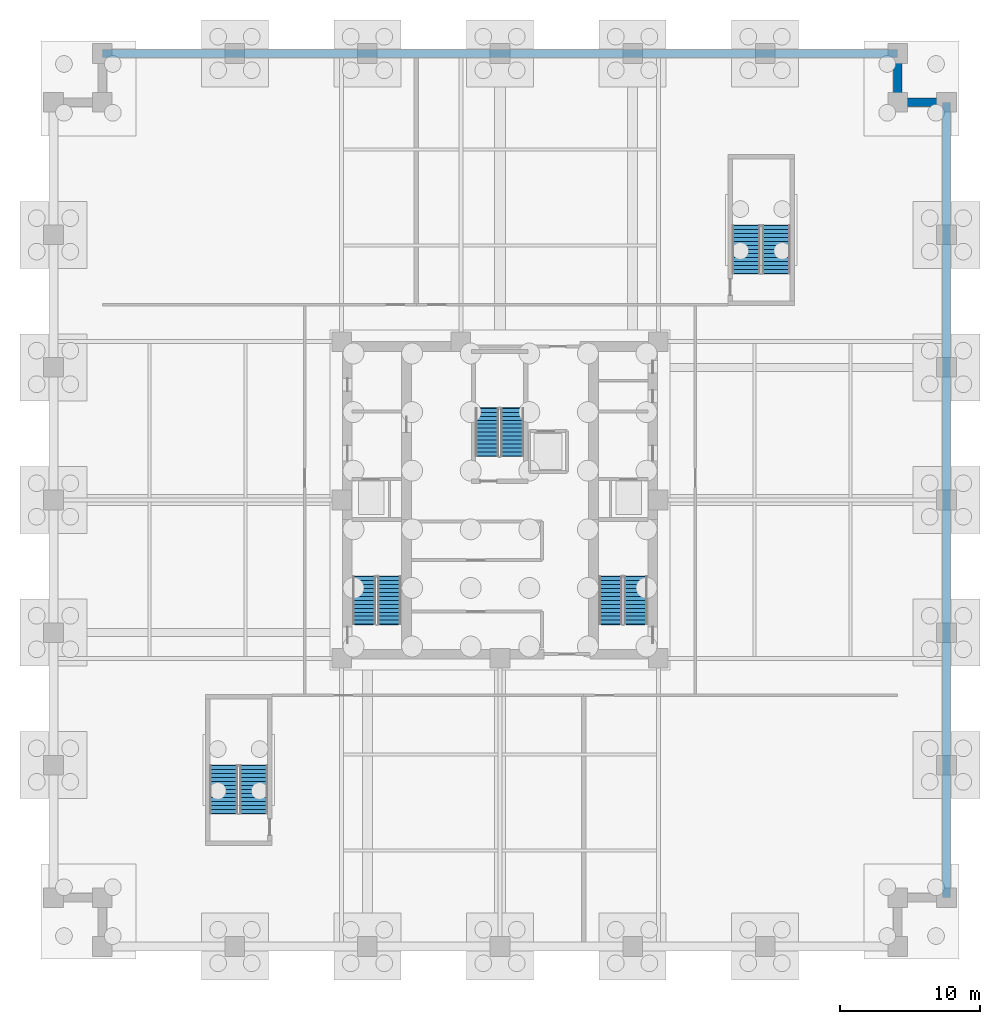
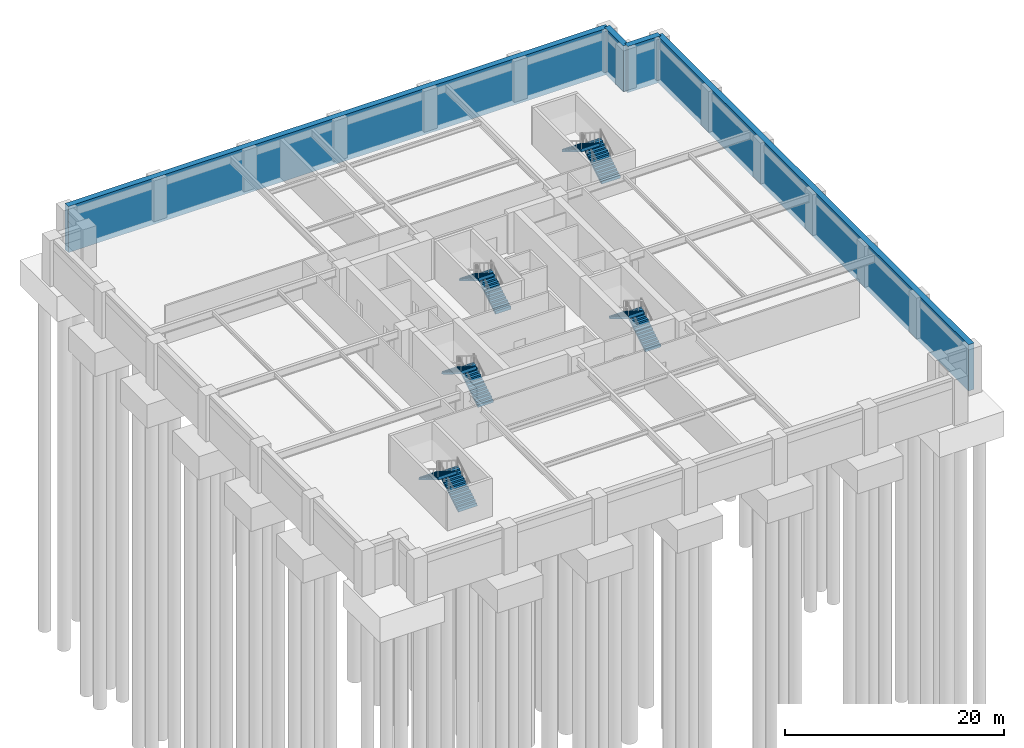
# One storey, part 5 of 8: 10 stair flights, 4 walls, 5 elements without a shape of their own.
"""IFC4 building model written with IfcOpenShell, lengths in metres."""

from ifc_helpers import new_model, si_unit, direction, frame, frame_2d, origin, place, context, subcontext, project, spatial, polyline, rectangle, outline, extrude, material, layer, layer_set, type_object, element, aggregate, save


model = new_model("IFC4")

# Units and contexts
model_context = context("Model", 3, precision=1e-05, world=origin(), true_north=direction((0.0, 1.0)))
body_context = subcontext(model_context, "Body", "Model", "MODEL_VIEW")
ifc_project = project(units=[si_unit("LENGTHUNIT", "METRE"), si_unit("AREAUNIT", "SQUARE_METRE"), si_unit("VOLUMEUNIT", "CUBIC_METRE"), si_unit("PLANEANGLEUNIT", "RADIAN"), si_unit("MASSUNIT", "GRAM", prefix="KILO")], contexts=[model_context])

# Site, building, storey
site_placement = place(None, origin())
site = spatial("IfcSite", under=ifc_project, at=site_placement, CompositionType="ELEMENT")
building_placement = place(site_placement, origin())
building = spatial("IfcBuilding", under=site, at=building_placement, Name="Nhamokura Convention Tower", CompositionType="ELEMENT")
storey_placement = place(building_placement, frame((0.0, 0.0, -9.10009765625)))
storey = spatial("IfcBuildingStorey", under=building, at=storey_placement, Name="B02", CompositionType="ELEMENT", Elevation=-9.10009765625)

# Walls
ifc_material_1 = material(Name="Concrete C50/60", Category="concrete")
ifc_layer = layer(ifc_material_1, 0.60009765625)
ifc_layer_set = layer_set([ifc_layer], Name="BasementRetainingWall_600")
wall_type = type_object("IfcWallType", Name="BasementRetainingWall_600", PredefinedType="USERDEFINED", material=ifc_layer_set)
wall_1_placement = place(storey_placement, frame((64.0, 3.5, -0.599853515625), z_axis=(0.0, 0.0, 1.0), x_axis=(0.0, 1.0, 0.0)))
element("IfcWall", 1, at=wall_1_placement, inside=storey, type_object=wall_type, Name="B02 Perimeter Retaining Wall 04", ObjectType="RETAININGWALL", PredefinedType="USERDEFINED", context=body_context, shape_type="SweptSolid", body=[
    extrude(rectangle(XDim=57.0, YDim=0.60009765625, at=frame_2d((28.5, 0.0))), origin(), (0.0, 0.0, 1.0), 5.14990234375),
])
for number, where, z_axis, x_axis, name in (
    (2, (64.0, 60.5, -0.599853515625), (0.0, 0.0, 1.0), (-1.0, 0.0, 0.0), "B02 Perimeter Retaining Wall 05"),
    (3, (60.5, 60.5, -0.599853515625), (0.0, 0.0, 1.0), (0.0, 1.0, 0.0), "B02 Perimeter Retaining Wall 06"),
):
    element("IfcWall", number, at=place(storey_placement, frame(where, z_axis=z_axis, x_axis=x_axis)), inside=storey, type_object=wall_type, Name=name, ObjectType="RETAININGWALL", PredefinedType="USERDEFINED", context=body_context, shape_type="SweptSolid", body=[
        extrude(rectangle(XDim=3.5, YDim=0.60009765625, at=frame_2d((1.75, 0.0))), origin(), (0.0, 0.0, 1.0), 5.14990234375),
    ])
wall_2_placement = place(storey_placement, frame((60.5, 64.0, -0.599853515625), z_axis=(0.0, 0.0, 1.0), x_axis=(-1.0, 0.0, 0.0)))
element("IfcWall", 4, at=wall_2_placement, inside=storey, type_object=wall_type, Name="B02 Perimeter Retaining Wall 07", ObjectType="RETAININGWALL", PredefinedType="USERDEFINED", context=body_context, shape_type="SweptSolid", body=[
    extrude(rectangle(XDim=57.0, YDim=0.60009765625, at=frame_2d((28.5, 0.0))), origin(), (0.0, 0.0, 1.0), 5.14990234375),
])

# Stair, stair flights
ifc_material_2 = material(Name="Concrete C40/50", Category="concrete")
stair_type_1 = type_object("IfcStairType", Name="PodiumExitStair_2000", PredefinedType="HALF_TURN_STAIR", material=ifc_material_2)
stair_1_placement = place(storey_placement, origin())
stair_1 = element("IfcStair", 5, at=stair_1_placement, inside=storey, type_object=stair_type_1, Name="B02 South-West Podium Smokeproof Stair ST-04", PredefinedType="HALF_TURN_STAIR")
ifc_material_3 = material(Name="Concrete C40/50", Category="concrete")
stair_flight_type_1 = type_object("IfcStairFlightType", Name="PodiumExitStair_2000_Flight", PredefinedType="STRAIGHT", material=ifc_material_3)
stair_flight_1_placement = place(storey_placement, frame((14.35009765625, 9.550048828125, 0.0), z_axis=(0.0, 0.0, 1.0), x_axis=(0.0, 1.0, 0.0)))
stair_flight_1 = element("IfcStairFlight", 6, at=stair_flight_1_placement, type_object=stair_flight_type_1, Name="ST-04 flight 1", NumberOfRisers=13, NumberOfTreads=12, PredefinedType="STRAIGHT", RiserHeight=0.175, TreadLength=0.285, context=body_context, shape_type="SweptSolid", body=[
    extrude(outline(polyline([(-0.0419921875, 0.0), (0.0, 0.175048828125), (0.284912109375, 0.175048828125), (0.284912109375, 0.35009765625), (0.570068359375, 0.35009765625), (0.570068359375, 0.52490234375), (0.85498046875, 0.52490234375), (0.85498046875, 0.699951171875), (1.139892578125, 0.699951171875), (1.139892578125, 0.875), (1.425048828125, 0.875), (1.425048828125, 1.050048828125), (1.7099609375, 1.050048828125), (1.7099609375, 1.22509765625), (1.9951171875, 1.22509765625), (1.9951171875, 1.39990234375), (2.280029296875, 1.39990234375), (2.280029296875, 1.574951171875), (2.56494140625, 1.574951171875), (2.56494140625, 1.75), (2.85009765625, 1.75), (2.85009765625, 1.925048828125), (3.135009765625, 1.925048828125), (3.135009765625, 2.10009765625), (3.419921875, 2.10009765625), (3.419921875, 2.27490234375), (3.4619140625, 2.27490234375), (3.4619140625, 1.924072265625), (3.419921875, 1.924072265625), (0.286376953125, 0.0), (0.02001953125, -0.1298828125), (-0.0419921875, -0.1298828125), (-0.0419921875, 0.0)])), frame((0.0, 1.0, 0.0), z_axis=(0.0, -1.0, 0.0), x_axis=(1.0, 0.0, 0.0)), (0.0, 0.0, 1.0), 2.0),
])
stair_flight_2_placement = place(storey_placement, frame((12.199951171875, 12.969970703125, 2.275146484375), z_axis=(0.0, 0.0, 1.0), x_axis=(0.0, -1.0, 0.0)))
stair_flight_2 = element("IfcStairFlight", 7, at=stair_flight_2_placement, type_object=stair_flight_type_1, Name="ST-04 flight 2", NumberOfRisers=13, NumberOfTreads=12, PredefinedType="STRAIGHT", RiserHeight=0.175, TreadLength=0.285, context=body_context, shape_type="SweptSolid", body=[
    extrude(outline(polyline([(-0.0419921875, 0.0), (0.0, 0.175048828125), (0.284912109375, 0.175048828125), (0.284912109375, 0.35009765625), (0.570068359375, 0.35009765625), (0.570068359375, 0.52490234375), (0.85498046875, 0.52490234375), (0.85498046875, 0.699951171875), (1.139892578125, 0.699951171875), (1.139892578125, 0.875), (1.425048828125, 0.875), (1.425048828125, 1.050048828125), (1.7099609375, 1.050048828125), (1.7099609375, 1.22509765625), (1.9951171875, 1.22509765625), (1.9951171875, 1.39990234375), (2.280029296875, 1.39990234375), (2.280029296875, 1.574951171875), (2.56494140625, 1.574951171875), (2.56494140625, 1.75), (2.85009765625, 1.75), (2.85009765625, 1.925048828125), (3.135009765625, 1.925048828125), (3.135009765625, 2.10009765625), (3.419921875, 2.10009765625), (3.419921875, 2.27490234375), (3.4619140625, 2.27490234375), (3.4619140625, 1.924072265625), (3.419921875, 1.924072265625), (0.286376953125, 0.0), (0.02001953125, -0.1298828125), (-0.0419921875, -0.1298828125), (-0.0419921875, 0.0)])), frame((0.0, 1.0, 0.0), z_axis=(0.0, -1.0, 0.0), x_axis=(1.0, 0.0, 0.0)), (0.0, 0.0, 1.0), 2.0),
])
aggregate(stair_1, [stair_flight_1, stair_flight_2])

stair_2_placement = place(storey_placement, origin())
stair_2 = element("IfcStair", 8, at=stair_2_placement, inside=storey, type_object=stair_type_1, Name="B02 North-East Podium Smokeproof Stair ST-05", PredefinedType="HALF_TURN_STAIR")
stair_flight_3_placement = place(storey_placement, frame((51.800048828125, 48.25, 0.0), z_axis=(0.0, 0.0, 1.0), x_axis=(0.0, 1.0, 0.0)))
stair_flight_3 = element("IfcStairFlight", 9, at=stair_flight_3_placement, type_object=stair_flight_type_1, Name="ST-05 flight 1", NumberOfRisers=13, NumberOfTreads=12, PredefinedType="STRAIGHT", RiserHeight=0.175, TreadLength=0.285, context=body_context, shape_type="SweptSolid", body=[
    extrude(outline(polyline([(-0.0419921875, 0.0), (0.0, 0.175048828125), (0.284912109375, 0.175048828125), (0.284912109375, 0.35009765625), (0.570068359375, 0.35009765625), (0.570068359375, 0.52490234375), (0.85498046875, 0.52490234375), (0.85498046875, 0.699951171875), (1.139892578125, 0.699951171875), (1.139892578125, 0.875), (1.425048828125, 0.875), (1.425048828125, 1.050048828125), (1.7099609375, 1.050048828125), (1.7099609375, 1.22509765625), (1.9951171875, 1.22509765625), (1.9951171875, 1.39990234375), (2.280029296875, 1.39990234375), (2.280029296875, 1.574951171875), (2.56494140625, 1.574951171875), (2.56494140625, 1.75), (2.85009765625, 1.75), (2.85009765625, 1.925048828125), (3.135009765625, 1.925048828125), (3.135009765625, 2.10009765625), (3.419921875, 2.10009765625), (3.419921875, 2.27490234375), (3.4619140625, 2.27490234375), (3.4619140625, 1.924072265625), (3.419921875, 1.924072265625), (0.286376953125, 0.0), (0.02001953125, -0.1298828125), (-0.0419921875, -0.1298828125), (-0.0419921875, 0.0)])), frame((0.0, 1.0, 0.0), z_axis=(0.0, -1.0, 0.0), x_axis=(1.0, 0.0, 0.0)), (0.0, 0.0, 1.0), 2.0),
])
stair_flight_4_placement = place(storey_placement, frame((49.64990234375, 51.669921875, 2.275146484375), z_axis=(0.0, 0.0, 1.0), x_axis=(0.0, -1.0, 0.0)))
stair_flight_4 = element("IfcStairFlight", 10, at=stair_flight_4_placement, type_object=stair_flight_type_1, Name="ST-05 flight 2", NumberOfRisers=13, NumberOfTreads=12, PredefinedType="STRAIGHT", RiserHeight=0.175, TreadLength=0.285, context=body_context, shape_type="SweptSolid", body=[
    extrude(outline(polyline([(-0.0419921875, 0.0), (0.0, 0.175048828125), (0.284912109375, 0.175048828125), (0.284912109375, 0.35009765625), (0.570068359375, 0.35009765625), (0.570068359375, 0.52490234375), (0.85498046875, 0.52490234375), (0.85498046875, 0.699951171875), (1.139892578125, 0.699951171875), (1.139892578125, 0.875), (1.425048828125, 0.875), (1.425048828125, 1.050048828125), (1.7099609375, 1.050048828125), (1.7099609375, 1.22509765625), (1.9951171875, 1.22509765625), (1.9951171875, 1.39990234375), (2.280029296875, 1.39990234375), (2.280029296875, 1.574951171875), (2.56494140625, 1.574951171875), (2.56494140625, 1.75), (2.85009765625, 1.75), (2.85009765625, 1.925048828125), (3.135009765625, 1.925048828125), (3.135009765625, 2.10009765625), (3.419921875, 2.10009765625), (3.419921875, 2.27490234375), (3.4619140625, 2.27490234375), (3.4619140625, 1.924072265625), (3.419921875, 1.924072265625), (0.286376953125, 0.0), (0.02001953125, -0.1298828125), (-0.0419921875, -0.1298828125), (-0.0419921875, 0.0)])), frame((0.0, 1.0, 0.0), z_axis=(0.0, -1.0, 0.0), x_axis=(1.0, 0.0, 0.0)), (0.0, 0.0, 1.0), 2.0),
])
aggregate(stair_2, [stair_flight_3, stair_flight_4])

ifc_material_4 = material(Name="Concrete C40/50", Category="concrete")
stair_type_2 = type_object("IfcStairType", Name="TowerCoreStair_1650", PredefinedType="HALF_TURN_STAIR", material=ifc_material_4)
stair_3_placement = place(storey_placement, origin())
stair_3 = element("IfcStair", 11, at=stair_3_placement, inside=storey, type_object=stair_type_2, Name="B02 West Core Smokeproof Stair ST-01", PredefinedType="HALF_TURN_STAIR")
ifc_material_5 = material(Name="Concrete C40/50", Category="concrete")
stair_flight_type_2 = type_object("IfcStairFlightType", Name="TowerCoreStair_1650_Flight", PredefinedType="STRAIGHT", material=ifc_material_5)
stair_flight_5_placement = place(storey_placement, frame((24.074951171875, 23.10009765625, 0.0), z_axis=(0.0, 0.0, 1.0), x_axis=(0.0, 1.0, 0.0)))
stair_flight_5 = element("IfcStairFlight", 12, at=stair_flight_5_placement, type_object=stair_flight_type_2, Name="ST-01 flight 1", NumberOfRisers=13, NumberOfTreads=12, PredefinedType="STRAIGHT", RiserHeight=0.175, TreadLength=0.285, context=body_context, shape_type="SweptSolid", body=[
    extrude(outline(polyline([(-0.0419921875, 0.0), (0.0, 0.175048828125), (0.284912109375, 0.175048828125), (0.284912109375, 0.35009765625), (0.570068359375, 0.35009765625), (0.570068359375, 0.52490234375), (0.85498046875, 0.52490234375), (0.85498046875, 0.699951171875), (1.139892578125, 0.699951171875), (1.139892578125, 0.875), (1.425048828125, 0.875), (1.425048828125, 1.050048828125), (1.7099609375, 1.050048828125), (1.7099609375, 1.22509765625), (1.9951171875, 1.22509765625), (1.9951171875, 1.39990234375), (2.280029296875, 1.39990234375), (2.280029296875, 1.574951171875), (2.56494140625, 1.574951171875), (2.56494140625, 1.75), (2.85009765625, 1.75), (2.85009765625, 1.925048828125), (3.135009765625, 1.925048828125), (3.135009765625, 2.10009765625), (3.419921875, 2.10009765625), (3.419921875, 2.27490234375), (3.4619140625, 2.27490234375), (3.4619140625, 1.924072265625), (3.419921875, 1.924072265625), (0.286376953125, 0.0), (0.02001953125, -0.1298828125), (-0.0419921875, -0.1298828125), (-0.0419921875, 0.0)])), frame((0.0, 0.824951171875, 0.0), z_axis=(0.0, -1.0, 0.0), x_axis=(1.0, 0.0, 0.0)), (0.0, 0.0, 1.0), 1.64990234375),
])
stair_flight_6_placement = place(storey_placement, frame((22.27490234375, 26.52001953125, 2.275146484375), z_axis=(0.0, 0.0, 1.0), x_axis=(0.0, -1.0, 0.0)))
stair_flight_6 = element("IfcStairFlight", 13, at=stair_flight_6_placement, type_object=stair_flight_type_2, Name="ST-01 flight 2", NumberOfRisers=13, NumberOfTreads=12, PredefinedType="STRAIGHT", RiserHeight=0.175, TreadLength=0.285, context=body_context, shape_type="SweptSolid", body=[
    extrude(outline(polyline([(-0.0419921875, 0.0), (0.0, 0.175048828125), (0.284912109375, 0.175048828125), (0.284912109375, 0.35009765625), (0.570068359375, 0.35009765625), (0.570068359375, 0.52490234375), (0.85498046875, 0.52490234375), (0.85498046875, 0.699951171875), (1.139892578125, 0.699951171875), (1.139892578125, 0.875), (1.425048828125, 0.875), (1.425048828125, 1.050048828125), (1.7099609375, 1.050048828125), (1.7099609375, 1.22509765625), (1.9951171875, 1.22509765625), (1.9951171875, 1.39990234375), (2.280029296875, 1.39990234375), (2.280029296875, 1.574951171875), (2.56494140625, 1.574951171875), (2.56494140625, 1.75), (2.85009765625, 1.75), (2.85009765625, 1.925048828125), (3.135009765625, 1.925048828125), (3.135009765625, 2.10009765625), (3.419921875, 2.10009765625), (3.419921875, 2.27490234375), (3.4619140625, 2.27490234375), (3.4619140625, 1.924072265625), (3.419921875, 1.924072265625), (0.286376953125, 0.0), (0.02001953125, -0.1298828125), (-0.0419921875, -0.1298828125), (-0.0419921875, 0.0)])), frame((0.0, 0.824951171875, 0.0), z_axis=(0.0, -1.0, 0.0), x_axis=(1.0, 0.0, 0.0)), (0.0, 0.0, 1.0), 1.64990234375),
])
aggregate(stair_3, [stair_flight_5, stair_flight_6])

stair_4_placement = place(storey_placement, origin())
stair_4 = element("IfcStair", 14, at=stair_4_placement, inside=storey, type_object=stair_type_2, Name="B02 East Core Smokeproof Stair ST-02", PredefinedType="HALF_TURN_STAIR")
stair_flight_7_placement = place(storey_placement, frame((41.72509765625, 23.10009765625, 0.0), z_axis=(0.0, 0.0, 1.0), x_axis=(0.0, 1.0, 0.0)))
stair_flight_7 = element("IfcStairFlight", 15, at=stair_flight_7_placement, type_object=stair_flight_type_2, Name="ST-02 flight 1", NumberOfRisers=13, NumberOfTreads=12, PredefinedType="STRAIGHT", RiserHeight=0.175, TreadLength=0.285, context=body_context, shape_type="SweptSolid", body=[
    extrude(outline(polyline([(-0.0419921875, 0.0), (0.0, 0.175048828125), (0.284912109375, 0.175048828125), (0.284912109375, 0.35009765625), (0.570068359375, 0.35009765625), (0.570068359375, 0.52490234375), (0.85498046875, 0.52490234375), (0.85498046875, 0.699951171875), (1.139892578125, 0.699951171875), (1.139892578125, 0.875), (1.425048828125, 0.875), (1.425048828125, 1.050048828125), (1.7099609375, 1.050048828125), (1.7099609375, 1.22509765625), (1.9951171875, 1.22509765625), (1.9951171875, 1.39990234375), (2.280029296875, 1.39990234375), (2.280029296875, 1.574951171875), (2.56494140625, 1.574951171875), (2.56494140625, 1.75), (2.85009765625, 1.75), (2.85009765625, 1.925048828125), (3.135009765625, 1.925048828125), (3.135009765625, 2.10009765625), (3.419921875, 2.10009765625), (3.419921875, 2.27490234375), (3.4619140625, 2.27490234375), (3.4619140625, 1.924072265625), (3.419921875, 1.924072265625), (0.286376953125, 0.0), (0.02001953125, -0.1298828125), (-0.0419921875, -0.1298828125), (-0.0419921875, 0.0)])), frame((0.0, 0.824951171875, 0.0), z_axis=(0.0, -1.0, 0.0), x_axis=(1.0, 0.0, 0.0)), (0.0, 0.0, 1.0), 1.64990234375),
])
stair_flight_8_placement = place(storey_placement, frame((39.925048828125, 26.52001953125, 2.275146484375), z_axis=(0.0, 0.0, 1.0), x_axis=(0.0, -1.0, 0.0)))
stair_flight_8 = element("IfcStairFlight", 16, at=stair_flight_8_placement, type_object=stair_flight_type_2, Name="ST-02 flight 2", NumberOfRisers=13, NumberOfTreads=12, PredefinedType="STRAIGHT", RiserHeight=0.175, TreadLength=0.285, context=body_context, shape_type="SweptSolid", body=[
    extrude(outline(polyline([(-0.0419921875, 0.0), (0.0, 0.175048828125), (0.284912109375, 0.175048828125), (0.284912109375, 0.35009765625), (0.570068359375, 0.35009765625), (0.570068359375, 0.52490234375), (0.85498046875, 0.52490234375), (0.85498046875, 0.699951171875), (1.139892578125, 0.699951171875), (1.139892578125, 0.875), (1.425048828125, 0.875), (1.425048828125, 1.050048828125), (1.7099609375, 1.050048828125), (1.7099609375, 1.22509765625), (1.9951171875, 1.22509765625), (1.9951171875, 1.39990234375), (2.280029296875, 1.39990234375), (2.280029296875, 1.574951171875), (2.56494140625, 1.574951171875), (2.56494140625, 1.75), (2.85009765625, 1.75), (2.85009765625, 1.925048828125), (3.135009765625, 1.925048828125), (3.135009765625, 2.10009765625), (3.419921875, 2.10009765625), (3.419921875, 2.27490234375), (3.4619140625, 2.27490234375), (3.4619140625, 1.924072265625), (3.419921875, 1.924072265625), (0.286376953125, 0.0), (0.02001953125, -0.1298828125), (-0.0419921875, -0.1298828125), (-0.0419921875, 0.0)])), frame((0.0, 0.824951171875, 0.0), z_axis=(0.0, -1.0, 0.0), x_axis=(1.0, 0.0, 0.0)), (0.0, 0.0, 1.0), 1.64990234375),
])
aggregate(stair_4, [stair_flight_7, stair_flight_8])

stair_5_placement = place(storey_placement, origin())
stair_5 = element("IfcStair", 17, at=stair_5_placement, inside=storey, type_object=stair_type_2, Name="B02 North Core Smokeproof Stair ST-03", PredefinedType="HALF_TURN_STAIR")
stair_flight_9_placement = place(storey_placement, frame((32.875, 35.14990234375, 0.0), z_axis=(0.0, 0.0, 1.0), x_axis=(0.0, 1.0, 0.0)))
stair_flight_9 = element("IfcStairFlight", 18, at=stair_flight_9_placement, type_object=stair_flight_type_2, Name="ST-03 flight 1", NumberOfRisers=13, NumberOfTreads=12, PredefinedType="STRAIGHT", RiserHeight=0.175, TreadLength=0.285, context=body_context, shape_type="SweptSolid", body=[
    extrude(outline(polyline([(-0.0419921875, 0.0), (0.0, 0.175048828125), (0.284912109375, 0.175048828125), (0.284912109375, 0.35009765625), (0.570068359375, 0.35009765625), (0.570068359375, 0.52490234375), (0.85498046875, 0.52490234375), (0.85498046875, 0.699951171875), (1.139892578125, 0.699951171875), (1.139892578125, 0.875), (1.425048828125, 0.875), (1.425048828125, 1.050048828125), (1.7099609375, 1.050048828125), (1.7099609375, 1.22509765625), (1.9951171875, 1.22509765625), (1.9951171875, 1.39990234375), (2.280029296875, 1.39990234375), (2.280029296875, 1.574951171875), (2.56494140625, 1.574951171875), (2.56494140625, 1.75), (2.85009765625, 1.75), (2.85009765625, 1.925048828125), (3.135009765625, 1.925048828125), (3.135009765625, 2.10009765625), (3.419921875, 2.10009765625), (3.419921875, 2.27490234375), (3.4619140625, 2.27490234375), (3.4619140625, 1.924072265625), (3.419921875, 1.924072265625), (0.286376953125, 0.0), (0.02001953125, -0.1298828125), (-0.0419921875, -0.1298828125), (-0.0419921875, 0.0)])), frame((0.0, 0.824951171875, 0.0), z_axis=(0.0, -1.0, 0.0), x_axis=(1.0, 0.0, 0.0)), (0.0, 0.0, 1.0), 1.64990234375),
])
stair_flight_10_placement = place(storey_placement, frame((31.074951171875, 38.570068359375, 2.275146484375), z_axis=(0.0, 0.0, 1.0), x_axis=(0.0, -1.0, 0.0)))
stair_flight_10 = element("IfcStairFlight", 19, at=stair_flight_10_placement, type_object=stair_flight_type_2, Name="ST-03 flight 2", NumberOfRisers=13, NumberOfTreads=12, PredefinedType="STRAIGHT", RiserHeight=0.175, TreadLength=0.285, context=body_context, shape_type="SweptSolid", body=[
    extrude(outline(polyline([(-0.0419921875, 0.0), (0.0, 0.175048828125), (0.284912109375, 0.175048828125), (0.284912109375, 0.35009765625), (0.570068359375, 0.35009765625), (0.570068359375, 0.52490234375), (0.85498046875, 0.52490234375), (0.85498046875, 0.699951171875), (1.139892578125, 0.699951171875), (1.139892578125, 0.875), (1.425048828125, 0.875), (1.425048828125, 1.050048828125), (1.7099609375, 1.050048828125), (1.7099609375, 1.22509765625), (1.9951171875, 1.22509765625), (1.9951171875, 1.39990234375), (2.280029296875, 1.39990234375), (2.280029296875, 1.574951171875), (2.56494140625, 1.574951171875), (2.56494140625, 1.75), (2.85009765625, 1.75), (2.85009765625, 1.925048828125), (3.135009765625, 1.925048828125), (3.135009765625, 2.10009765625), (3.419921875, 2.10009765625), (3.419921875, 2.27490234375), (3.4619140625, 2.27490234375), (3.4619140625, 1.924072265625), (3.419921875, 1.924072265625), (0.286376953125, 0.0), (0.02001953125, -0.1298828125), (-0.0419921875, -0.1298828125), (-0.0419921875, 0.0)])), frame((0.0, 0.824951171875, 0.0), z_axis=(0.0, -1.0, 0.0), x_axis=(1.0, 0.0, 0.0)), (0.0, 0.0, 1.0), 1.64990234375),
])
aggregate(stair_5, [stair_flight_9, stair_flight_10])

save(model, "model.ifc")
